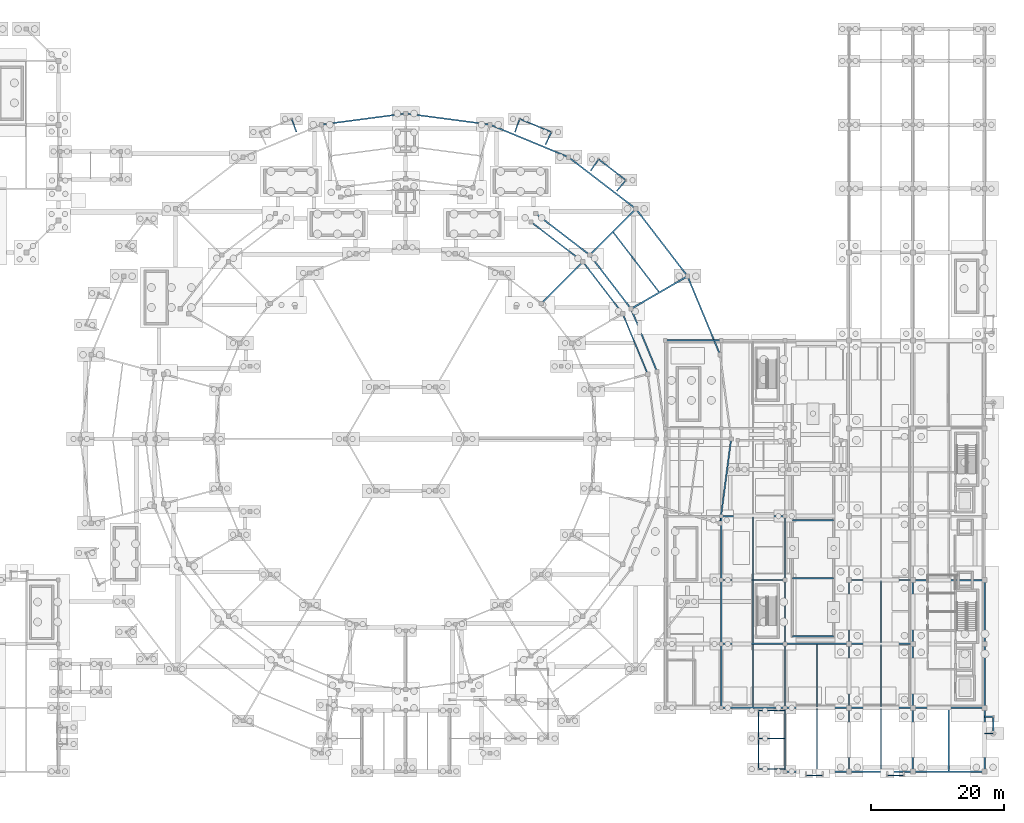
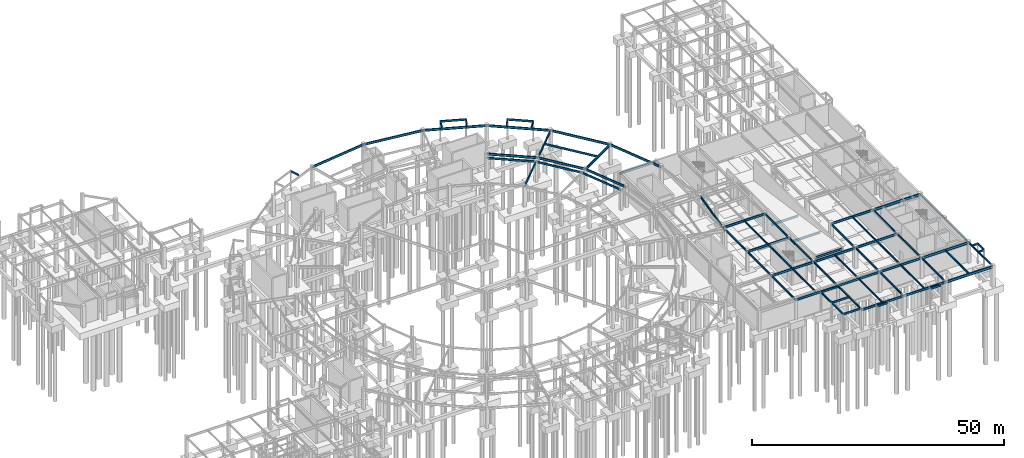
# One storey, part 41 of 55: 77 beams.
"""IFC4 building model written with IfcOpenShell, lengths in metres."""

from ifc_helpers import new_model, si_unit, direction, frame, origin, origin_2d, place, context, subcontext, project, spatial, i_section, extrude, material, material_profile, profile_set, type_object, element, save


model = new_model("IFC4")

# Units and contexts
model_context = context("Model", 3, precision=1e-05, world=origin(), true_north=direction((0.0, 1.0)))
body_context = subcontext(model_context, "Body", "Model", "MODEL_VIEW")
ifc_project = project(units=[si_unit("LENGTHUNIT", "METRE"), si_unit("AREAUNIT", "SQUARE_METRE"), si_unit("VOLUMEUNIT", "CUBIC_METRE"), si_unit("PLANEANGLEUNIT", "RADIAN"), si_unit("MASSUNIT", "GRAM", prefix="KILO")], contexts=[model_context])

# Site, building, storey
site_placement = place(None, origin())
site = spatial("IfcSite", under=ifc_project, at=site_placement, CompositionType="ELEMENT")
building_placement = place(site_placement, origin())
building = spatial("IfcBuilding", under=site, at=building_placement, Name="Almandine Court Research Institute", CompositionType="ELEMENT")
storey_placement = place(building_placement, frame((0.0, 0.0, -5.25)))
storey = spatial("IfcBuildingStorey", under=building, at=storey_placement, Name="B1", CompositionType="ELEMENT", Elevation=-5.25)

# Beams
ifc_material = material(Name="Steel ASTM A992 Grade 50", Category="steel")
ifc_material_profile_1 = material_profile(ifc_material, i_section(OverallWidth=0.18994140625, OverallDepth=0.45703125, WebThickness=0.009033203125, FlangeThickness=0.014892578125, at=origin_2d()), Name="W460x74")
ifc_profile_set_1 = profile_set([ifc_material_profile_1], Name="Steel ASTM A992 Grade 50")
beam_type_1 = type_object("IfcBeamType", Name="Beam-B-01", PredefinedType="BEAM", material=ifc_profile_set_1)
for number, where, z_axis, x_axis, name in (
    (1, (134.39990234375, 15.60009765625, 4.719970703125), (0.0, 1.0, 0.0), (-1.0, 0.0, 0.0), "B1 B1G Primary Y Girder"),
    (2, (144.0, 15.60009765625, 4.719970703125), (0.0, 1.0, 0.0), (-1.0, 0.0, 0.0), "B1 B1G Primary Y Girder"),
):
    element("IfcBeam", number, at=place(storey_placement, frame(where, z_axis=z_axis, x_axis=x_axis)), inside=storey, type_object=beam_type_1, Name=name, PredefinedType="BEAM", context=body_context, shape_type="SweptSolid", body=[
        extrude(i_section(OverallWidth=0.18994140625, OverallDepth=0.45703125, WebThickness=0.009033203125, FlangeThickness=0.014892578125, at=origin_2d()), origin(), (0.0, 0.0, 1.0), 9.599853515625),
    ])
for number, where, z_axis, x_axis, name in (
    (3, (134.39990234375, 25.199951171875, 4.719970703125), (0.0, 1.0, 0.0), (-1.0, 0.0, 0.0), "B1 B1G Primary Y Girder"),
    (4, (144.0, 25.199951171875, 4.719970703125), (0.0, 1.0, 0.0), (-1.0, 0.0, 0.0), "B1 B1G Primary Y Girder"),
):
    element("IfcBeam", number, at=place(storey_placement, frame(where, z_axis=z_axis, x_axis=x_axis)), inside=storey, type_object=beam_type_1, Name=name, PredefinedType="BEAM", context=body_context, shape_type="SweptSolid", body=[
        extrude(i_section(OverallWidth=0.18994140625, OverallDepth=0.45703125, WebThickness=0.009033203125, FlangeThickness=0.014892578125, at=origin_2d()), origin(), (0.0, 0.0, 1.0), 9.60009765625),
    ])
for number, where, z_axis, x_axis, name in (
    (5, (134.39990234375, 34.800048828125, 4.719970703125), (0.0, 1.0, 0.0), (-1.0, 0.0, 0.0), "B1 B1G Primary Y Girder"),
    (6, (144.0, 34.800048828125, 4.719970703125), (0.0, 1.0, 0.0), (-1.0, 0.0, 0.0), "B1 B1G Primary Y Girder"),
):
    element("IfcBeam", number, at=place(storey_placement, frame(where, z_axis=z_axis, x_axis=x_axis)), inside=storey, type_object=beam_type_1, Name=name, PredefinedType="BEAM", context=body_context, shape_type="SweptSolid", body=[
        extrude(i_section(OverallWidth=0.18994140625, OverallDepth=0.45703125, WebThickness=0.009033203125, FlangeThickness=0.014892578125, at=origin_2d()), origin(), (0.0, 0.0, 1.0), 9.599853515625),
    ])
for number, where, z_axis, x_axis, name in (
    (7, (144.0, 6.0, 4.77099609375), (0.0, 1.0, 0.0), (-1.0, 0.0, 0.0), "B1 V4 Primary Y Girder"),
    (8, (153.60009765625, 6.0, 4.77099609375), (0.0, 1.0, 0.0), (-1.0, 0.0, 0.0), "B1 V4 Primary Y Girder"),
    (9, (163.199951171875, 6.0, 4.77099609375), (0.0, 1.0, 0.0), (-1.0, 0.0, 0.0), "B1 V4 Primary Y Girder"),
    (10, (174.0, 6.0, 4.77099609375), (0.0, 1.0, 0.0), (-1.0, 0.0, 0.0), "B1 V4 Primary Y Girder"),
):
    element("IfcBeam", number, at=place(storey_placement, frame(where, z_axis=z_axis, x_axis=x_axis)), inside=storey, type_object=beam_type_1, Name=name, PredefinedType="BEAM", context=body_context, shape_type="SweptSolid", body=[
        extrude(i_section(OverallWidth=0.18994140625, OverallDepth=0.45703125, WebThickness=0.009033203125, FlangeThickness=0.014892578125, at=origin_2d()), origin(), (0.0, 0.0, 1.0), 9.60009765625),
    ])
for number, where, z_axis, x_axis, name in (
    (11, (153.60009765625, 15.60009765625, 4.77099609375), (0.0, 1.0, 0.0), (-1.0, 0.0, 0.0), "B1 V4 Primary Y Girder"),
    (12, (163.199951171875, 15.60009765625, 4.77099609375), (0.0, 1.0, 0.0), (-1.0, 0.0, 0.0), "B1 V4 Primary Y Girder"),
    (13, (174.0, 15.60009765625, 4.77099609375), (0.0, 1.0, 0.0), (-1.0, 0.0, 0.0), "B1 V4 Primary Y Girder"),
):
    element("IfcBeam", number, at=place(storey_placement, frame(where, z_axis=z_axis, x_axis=x_axis)), inside=storey, type_object=beam_type_1, Name=name, PredefinedType="BEAM", context=body_context, shape_type="SweptSolid", body=[
        extrude(i_section(OverallWidth=0.18994140625, OverallDepth=0.45703125, WebThickness=0.009033203125, FlangeThickness=0.014892578125, at=origin_2d()), origin(), (0.0, 0.0, 1.0), 9.599853515625),
    ])
for number, where, z_axis, x_axis, name in (
    (14, (153.60009765625, 25.199951171875, 4.719970703125), (0.0, 1.0, 0.0), (-1.0, 0.0, 0.0), "B1 V4 Primary Y Girder"),
    (15, (163.199951171875, 25.199951171875, 4.77099609375), (0.0, 1.0, 0.0), (-1.0, 0.0, 0.0), "B1 V4 Primary Y Girder"),
    (16, (174.0, 25.199951171875, 4.77099609375), (0.0, 1.0, 0.0), (-1.0, 0.0, 0.0), "B1 V4 Primary Y Girder"),
):
    element("IfcBeam", number, at=place(storey_placement, frame(where, z_axis=z_axis, x_axis=x_axis)), inside=storey, type_object=beam_type_1, Name=name, PredefinedType="BEAM", context=body_context, shape_type="SweptSolid", body=[
        extrude(i_section(OverallWidth=0.18994140625, OverallDepth=0.45703125, WebThickness=0.009033203125, FlangeThickness=0.014892578125, at=origin_2d()), origin(), (0.0, 0.0, 1.0), 9.60009765625),
    ])
beam_1_placement = place(storey_placement, frame((125.044921875, 78.10400390625, 4.77099609375), z_axis=(-0.608773677202, 0.793343941772, 0.0), x_axis=(-0.793343941772, -0.608773677202, 0.0)))
element("IfcBeam", 17, at=beam_1_placement, inside=storey, type_object=beam_type_1, Name="B1 Drum MID Ring Beam 02", PredefinedType="BEAM", context=body_context, shape_type="SweptSolid", body=[
    extrude(i_section(OverallWidth=0.18994140625, OverallDepth=0.45703125, WebThickness=0.009033203125, FlangeThickness=0.014892578125, at=origin_2d()), origin(), (0.0, 0.0, 1.0), 11.248779296875),
])
beam_2_placement = place(storey_placement, frame((123.366943359375, 65.7451171875, 4.77099609375), z_axis=(-0.382683080424, 0.92387967829, 0.0), x_axis=(-0.92387967829, -0.382683080424, 0.0)))
element("IfcBeam", 18, at=beam_2_placement, inside=storey, type_object=beam_type_1, Name="B1 Atrium Outer Ring Beam", PredefinedType="BEAM", context=body_context, shape_type="SweptSolid", body=[
    extrude(i_section(OverallWidth=0.18994140625, OverallDepth=0.45703125, WebThickness=0.009033203125, FlangeThickness=0.014892578125, at=origin_2d()), origin(), (0.0, 0.0, 1.0), 9.827880859375),
])
for number, where, z_axis, x_axis, name in (
    (19, (119.60595703125, 74.824951171875, 4.77099609375), (-0.608711534396, 0.793391623282, 0.0), (-0.793391623282, -0.608711534396, 0.0), "B1 Atrium Outer Ring Beam"),
    (20, (113.623046875, 82.623046875, 4.77099609375), (-0.793391623282, 0.608711534396, 0.0), (-0.608711534396, -0.793391623282, 0.0), "B1 Atrium Outer Ring Beam"),
):
    element("IfcBeam", number, at=place(storey_placement, frame(where, z_axis=z_axis, x_axis=x_axis)), inside=storey, type_object=beam_type_1, Name=name, PredefinedType="BEAM", context=body_context, shape_type="SweptSolid", body=[
        extrude(i_section(OverallWidth=0.18994140625, OverallDepth=0.45703125, WebThickness=0.009033203125, FlangeThickness=0.014892578125, at=origin_2d()), origin(), (0.0, 0.0, 1.0), 9.828857421875),
    ])
for number, where, z_axis, x_axis, name in (
    (21, (140.0, 6.39990234375, 4.822021484375), (1.0, 0.0, 0.0), (0.0, 1.0, 0.0), "B1 Threshold Support Beam APR-V4-DOCK-1"),
    (22, (140.0, 11.0, 4.822021484375), (1.0, 0.0, 0.0), (0.0, 1.0, 0.0), "B1 Threshold Support Beam APR-V4-DOCK-2"),
    (23, (140.0, 15.199951171875, 4.822021484375), (1.0, 0.0, 0.0), (0.0, 1.0, 0.0), "B1 Threshold Support Beam APR-V4-DOCK-3"),
):
    element("IfcBeam", number, at=place(storey_placement, frame(where, z_axis=z_axis, x_axis=x_axis)), inside=storey, type_object=beam_type_1, Name=name, PredefinedType="BEAM", context=body_context, shape_type="SweptSolid", body=[
        extrude(i_section(OverallWidth=0.18994140625, OverallDepth=0.45703125, WebThickness=0.009033203125, FlangeThickness=0.014892578125, at=origin_2d()), origin(), (0.0, 0.0, 1.0), 4.0),
    ])
beam_3_placement = place(storey_placement, frame((140.0, 6.39990234375, 4.822021484375), z_axis=(0.0, 1.0, 0.0), x_axis=(-1.0, 0.0, 0.0)))
element("IfcBeam", 24, at=beam_3_placement, inside=storey, type_object=beam_type_1, Name="B1 Threshold Edge Girder APR-V4-DOCK-1", PredefinedType="BEAM", context=body_context, shape_type="SweptSolid", body=[
    extrude(i_section(OverallWidth=0.18994140625, OverallDepth=0.45703125, WebThickness=0.009033203125, FlangeThickness=0.014892578125, at=origin_2d()), origin(), (0.0, 0.0, 1.0), 4.60009765625),
])
beam_4_placement = place(storey_placement, frame((140.0, 11.0, 4.822021484375), z_axis=(0.0, 1.0, 0.0), x_axis=(-1.0, 0.0, 0.0)))
element("IfcBeam", 25, at=beam_4_placement, inside=storey, type_object=beam_type_1, Name="B1 Threshold Edge Girder APR-V4-DOCK-2", PredefinedType="BEAM", context=body_context, shape_type="SweptSolid", body=[
    extrude(i_section(OverallWidth=0.18994140625, OverallDepth=0.45703125, WebThickness=0.009033203125, FlangeThickness=0.014892578125, at=origin_2d()), origin(), (0.0, 0.0, 1.0), 4.199951171875),
])
for number, where, z_axis, x_axis, name in (
    (26, (147.14990234375, 5.419921875, 4.822021484375), (1.0, 0.0, 0.0), (0.0, 1.0, 0.0), "B1 Threshold Edge Girder PAD-V4-FCC-1"),
    (27, (159.35009765625, 5.419921875, 4.822021484375), (1.0, 0.0, 0.0), (0.0, 1.0, 0.0), "B1 Threshold Edge Girder PAD-V4-S2-1"),
):
    element("IfcBeam", number, at=place(storey_placement, frame(where, z_axis=z_axis, x_axis=x_axis)), inside=storey, type_object=beam_type_1, Name=name, PredefinedType="BEAM", context=body_context, shape_type="SweptSolid", body=[
        extrude(i_section(OverallWidth=0.18994140625, OverallDepth=0.45703125, WebThickness=0.009033203125, FlangeThickness=0.014892578125, at=origin_2d()), origin(), (0.0, 0.0, 1.0), 2.5),
    ])
for number, where, z_axis, x_axis, name in (
    (28, (175.300048828125, 11.75, 4.76904296875), (-1.0, 0.0, 0.0), (0.0, -1.0, 0.0), "B1 Threshold Support Beam PAD-V4-E1-1"),
    (29, (175.300048828125, 14.25, 4.76904296875), (-1.0, 0.0, 0.0), (0.0, -1.0, 0.0), "B1 Threshold Support Beam PAD-V4-E1-2"),
):
    element("IfcBeam", number, at=place(storey_placement, frame(where, z_axis=z_axis, x_axis=x_axis)), inside=storey, type_object=beam_type_1, Name=name, PredefinedType="BEAM", context=body_context, shape_type="SweptSolid", body=[
        extrude(i_section(OverallWidth=0.18994140625, OverallDepth=0.45703125, WebThickness=0.009033203125, FlangeThickness=0.014892578125, at=origin_2d()), origin(), (0.0, 0.0, 1.0), 1.300048828125),
    ])
beam_5_placement = place(storey_placement, frame((175.300048828125, 11.75, 4.822021484375), z_axis=(0.0, 1.0, 0.0), x_axis=(-1.0, 0.0, 0.0)))
element("IfcBeam", 30, at=beam_5_placement, inside=storey, type_object=beam_type_1, Name="B1 Threshold Edge Girder PAD-V4-E1-1", PredefinedType="BEAM", context=body_context, shape_type="SweptSolid", body=[
    extrude(i_section(OverallWidth=0.18994140625, OverallDepth=0.45703125, WebThickness=0.009033203125, FlangeThickness=0.014892578125, at=origin_2d()), origin(), (0.0, 0.0, 1.0), 2.5),
])
beam_6_placement = place(storey_placement, frame((120.0869140625, 94.876953125, 4.76904296875), z_axis=(-0.647999281413, -0.761640946437, 0.0), x_axis=(0.761640946437, -0.647999281413, 0.0)))
element("IfcBeam", 31, at=beam_6_placement, inside=storey, type_object=beam_type_1, Name="B1 Drum Threshold Radial Beam PAD-DRUM-S03-1", PredefinedType="BEAM", context=body_context, shape_type="SweptSolid", body=[
    extrude(i_section(OverallWidth=0.18994140625, OverallDepth=0.45703125, WebThickness=0.009033203125, FlangeThickness=0.014892578125, at=origin_2d()), origin(), (0.0, 0.0, 1.0), 2.120361328125),
])
beam_7_placement = place(storey_placement, frame((115.988037109375, 98.02099609375, 4.76904296875), z_axis=(-0.56760375491, -0.82330187502, 0.0), x_axis=(0.82330187502, -0.56760375491, 0.0)))
element("IfcBeam", 32, at=beam_7_placement, inside=storey, type_object=beam_type_1, Name="B1 Drum Threshold Radial Beam PAD-DRUM-S03-2", PredefinedType="BEAM", context=body_context, shape_type="SweptSolid", body=[
    extrude(i_section(OverallWidth=0.18994140625, OverallDepth=0.45703125, WebThickness=0.009033203125, FlangeThickness=0.014892578125, at=origin_2d()), origin(), (0.0, 0.0, 1.0), 2.11962890625),
])
beam_8_placement = place(storey_placement, frame((120.0869140625, 94.876953125, 4.822021484375), z_axis=(-0.793459529126, 0.608623016028, 0.0), x_axis=(-0.608623016028, -0.793459529126, 0.0)))
element("IfcBeam", 33, at=beam_8_placement, inside=storey, type_object=beam_type_1, Name="B1 Drum Threshold Edge Beam PAD-DRUM-S03", PredefinedType="BEAM", context=body_context, shape_type="SweptSolid", body=[
    extrude(i_section(OverallWidth=0.18994140625, OverallDepth=0.45703125, WebThickness=0.009033203125, FlangeThickness=0.014892578125, at=origin_2d()), origin(), (0.0, 0.0, 1.0), 5.165771484375),
])
for number, where, z_axis, x_axis, name in (
    (34, (108.89697265625, 102.114990234375, 4.76904296875), (-0.42878428268, -0.903406906619, 0.0), (0.903406906619, -0.42878428268, 0.0), "B1 Drum Threshold Radial Beam PAD-DRUM-S04-1"),
    (35, (104.125, 104.092041015625, 4.76904296875), (-0.33537317599, -0.942085363874, 0.0), (0.942085363874, -0.33537317599, 0.0), "B1 Drum Threshold Radial Beam PAD-DRUM-S04-2"),
):
    element("IfcBeam", number, at=place(storey_placement, frame(where, z_axis=z_axis, x_axis=x_axis)), inside=storey, type_object=beam_type_1, Name=name, PredefinedType="BEAM", context=body_context, shape_type="SweptSolid", body=[
        extrude(i_section(OverallWidth=0.18994140625, OverallDepth=0.45703125, WebThickness=0.009033203125, FlangeThickness=0.014892578125, at=origin_2d()), origin(), (0.0, 0.0, 1.0), 2.119873046875),
    ])
beam_9_placement = place(storey_placement, frame((108.89697265625, 102.114990234375, 4.822021484375), z_axis=(-0.923849755834, 0.382755311713, 0.0), x_axis=(-0.382755311713, -0.923849755834, 0.0)))
element("IfcBeam", 36, at=beam_9_placement, inside=storey, type_object=beam_type_1, Name="B1 Drum Threshold Edge Beam PAD-DRUM-S04", PredefinedType="BEAM", context=body_context, shape_type="SweptSolid", body=[
    extrude(i_section(OverallWidth=0.18994140625, OverallDepth=0.45703125, WebThickness=0.009033203125, FlangeThickness=0.014892578125, at=origin_2d()), origin(), (0.0, 0.0, 1.0), 5.165283203125),
])
beam_10_placement = place(storey_placement, frame((69.875, 104.092041015625, 4.76904296875), z_axis=(0.33537317599, -0.942085363874, 0.0), x_axis=(0.942085363874, 0.33537317599, 0.0)))
element("IfcBeam", 37, at=beam_10_placement, inside=storey, type_object=beam_type_1, Name="B1 Drum Threshold Radial Beam PAD-DRUM-S07-1", PredefinedType="BEAM", context=body_context, shape_type="SweptSolid", body=[
    extrude(i_section(OverallWidth=0.18994140625, OverallDepth=0.45703125, WebThickness=0.009033203125, FlangeThickness=0.014892578125, at=origin_2d()), origin(), (0.0, 0.0, 1.0), 2.119873046875),
])
ifc_material_profile_2 = material_profile(ifc_material, i_section(OverallWidth=0.178955078125, OverallDepth=0.409912109375, WebThickness=0.009033203125, FlangeThickness=0.013916015625, at=origin_2d()), Name="W410x67")
ifc_profile_set_2 = profile_set([ifc_material_profile_2], Name="Steel ASTM A992 Grade 50")
beam_type_2 = type_object("IfcBeamType", Name="Beam-B-02", PredefinedType="JOIST", material=ifc_profile_set_2)
beam_11_placement = place(storey_placement, frame((139.199951171875, 15.7041015625, 4.742919921875), z_axis=(0.0, 1.0, 0.0), x_axis=(-1.0, 0.0, 0.0)))
element("IfcBeam", 38, at=beam_11_placement, inside=storey, type_object=beam_type_2, Name="B1 B1G Composite Secondary Beam", PredefinedType="JOIST", context=body_context, shape_type="SweptSolid", body=[
    extrude(i_section(OverallWidth=0.178955078125, OverallDepth=0.409912109375, WebThickness=0.009033203125, FlangeThickness=0.013916015625, at=origin_2d()), origin(), (0.0, 0.0, 1.0), 9.391845703125),
])
for number, where, z_axis, x_axis, name in (
    (39, (139.199951171875, 25.302978515625, 4.742919921875), (0.0, 1.0, 0.0), (-1.0, 0.0, 0.0), "B1 B1G Composite Secondary Beam"),
    (40, (139.199951171875, 34.903076171875, 4.742919921875), (0.0, 1.0, 0.0), (-1.0, 0.0, 0.0), "B1 B1G Composite Secondary Beam"),
):
    element("IfcBeam", number, at=place(storey_placement, frame(where, z_axis=z_axis, x_axis=x_axis)), inside=storey, type_object=beam_type_2, Name=name, PredefinedType="JOIST", context=body_context, shape_type="SweptSolid", body=[
        extrude(i_section(OverallWidth=0.178955078125, OverallDepth=0.409912109375, WebThickness=0.009033203125, FlangeThickness=0.013916015625, at=origin_2d()), origin(), (0.0, 0.0, 1.0), 9.39404296875),
    ])
for number, where, z_axis, x_axis, name in (
    (41, (148.800048828125, 6.10400390625, 4.794921875), (0.0, 1.0, 0.0), (-1.0, 0.0, 0.0), "B1 V4 Composite Secondary Beam"),
    (42, (158.39990234375, 6.10400390625, 4.794921875), (0.0, 1.0, 0.0), (-1.0, 0.0, 0.0), "B1 V4 Composite Secondary Beam"),
):
    element("IfcBeam", number, at=place(storey_placement, frame(where, z_axis=z_axis, x_axis=x_axis)), inside=storey, type_object=beam_type_2, Name=name, PredefinedType="JOIST", context=body_context, shape_type="SweptSolid", body=[
        extrude(i_section(OverallWidth=0.178955078125, OverallDepth=0.409912109375, WebThickness=0.009033203125, FlangeThickness=0.013916015625, at=origin_2d()), origin(), (0.0, 0.0, 1.0), 9.39208984375),
    ])
beam_12_placement = place(storey_placement, frame((168.60009765625, 6.113037109375, 4.794921875), z_axis=(0.0, 1.0, 0.0), x_axis=(-1.0, 0.0, 0.0)))
element("IfcBeam", 43, at=beam_12_placement, inside=storey, type_object=beam_type_2, Name="B1 V4 Composite Secondary Beam", PredefinedType="JOIST", context=body_context, shape_type="SweptSolid", body=[
    extrude(i_section(OverallWidth=0.178955078125, OverallDepth=0.409912109375, WebThickness=0.009033203125, FlangeThickness=0.013916015625, at=origin_2d()), origin(), (0.0, 0.0, 1.0), 9.3740234375),
])
for number, where, z_axis, x_axis, name in (
    (44, (148.800048828125, 15.7041015625, 4.794921875), (0.0, 1.0, 0.0), (-1.0, 0.0, 0.0), "B1 V4 Composite Secondary Beam"),
    (45, (158.39990234375, 15.7041015625, 4.794921875), (0.0, 1.0, 0.0), (-1.0, 0.0, 0.0), "B1 V4 Composite Secondary Beam"),
):
    element("IfcBeam", number, at=place(storey_placement, frame(where, z_axis=z_axis, x_axis=x_axis)), inside=storey, type_object=beam_type_2, Name=name, PredefinedType="JOIST", context=body_context, shape_type="SweptSolid", body=[
        extrude(i_section(OverallWidth=0.178955078125, OverallDepth=0.409912109375, WebThickness=0.009033203125, FlangeThickness=0.013916015625, at=origin_2d()), origin(), (0.0, 0.0, 1.0), 9.391845703125),
    ])
beam_13_placement = place(storey_placement, frame((158.39990234375, 25.302978515625, 4.794921875), z_axis=(0.0, 1.0, 0.0), x_axis=(-1.0, 0.0, 0.0)))
element("IfcBeam", 46, at=beam_13_placement, inside=storey, type_object=beam_type_2, Name="B1 V4 Composite Secondary Beam", PredefinedType="JOIST", context=body_context, shape_type="SweptSolid", body=[
    extrude(i_section(OverallWidth=0.178955078125, OverallDepth=0.409912109375, WebThickness=0.009033203125, FlangeThickness=0.013916015625, at=origin_2d()), origin(), (0.0, 0.0, 1.0), 9.39404296875),
])
ifc_material_profile_3 = material_profile(ifc_material, i_section(OverallWidth=0.22998046875, OverallDepth=0.616943359375, WebThickness=0.012939453125, FlangeThickness=0.02197265625, at=origin_2d()), Name="W610x140")
ifc_profile_set_3 = profile_set([ifc_material_profile_3], Name="Steel ASTM A992 Grade 50")
beam_type_3 = type_object("IfcBeamType", Name="Beam-G-02", PredefinedType="BEAM", material=ifc_profile_set_3)
for number, where, z_axis, x_axis, name in (
    (47, (163.199951171875, 6.0, 4.69189453125), (1.0, 0.0, 0.0), (0.0, 1.0, 0.0), "B1 V4 Primary X Girder"),
    (48, (163.199951171875, 15.60009765625, 4.69189453125), (1.0, 0.0, 0.0), (0.0, 1.0, 0.0), "B1 V4 Primary X Girder"),
    (49, (163.199951171875, 34.800048828125, 4.69189453125), (1.0, 0.0, 0.0), (0.0, 1.0, 0.0), "B1 V4 Primary X Girder"),
):
    element("IfcBeam", number, at=place(storey_placement, frame(where, z_axis=z_axis, x_axis=x_axis)), inside=storey, type_object=beam_type_3, Name=name, PredefinedType="BEAM", context=body_context, shape_type="SweptSolid", body=[
        extrude(i_section(OverallWidth=0.22998046875, OverallDepth=0.616943359375, WebThickness=0.012939453125, FlangeThickness=0.02197265625, at=origin_2d()), origin(), (0.0, 0.0, 1.0), 10.800048828125),
    ])
beam_14_placement = place(storey_placement, frame((120.862060546875, 75.550048828125, 4.69189453125), z_axis=(0.866030014362, 0.49999201416, 0.0), x_axis=(-0.49999201416, 0.866030014362, 0.0)))
element("IfcBeam", 50, at=beam_14_placement, inside=storey, type_object=beam_type_3, Name="B1 Drum Radial Girder 02", PredefinedType="BEAM", context=body_context, shape_type="SweptSolid", body=[
    extrude(i_section(OverallWidth=0.22998046875, OverallDepth=0.616943359375, WebThickness=0.012939453125, FlangeThickness=0.02197265625, at=origin_2d()), origin(), (0.0, 0.0, 1.0), 9.800048828125),
])
beam_15_placement = place(storey_placement, frame((114.64794921875, 83.64794921875, 4.69189453125), z_axis=(0.707106781187, 0.707106781187, 0.0), x_axis=(-0.707106781187, 0.707106781187, 0.0)))
element("IfcBeam", 51, at=beam_15_placement, inside=storey, type_object=beam_type_3, Name="B1 Drum Radial Girder 03", PredefinedType="BEAM", context=body_context, shape_type="SweptSolid", body=[
    extrude(i_section(OverallWidth=0.22998046875, OverallDepth=0.616943359375, WebThickness=0.012939453125, FlangeThickness=0.02197265625, at=origin_2d()), origin(), (0.0, 0.0, 1.0), 9.80029296875),
])
ifc_material_profile_4 = material_profile(ifc_material, i_section(OverallWidth=0.2109375, OverallDepth=0.5390625, WebThickness=0.011962890625, FlangeThickness=0.01904296875, at=origin_2d()), Name="W530x109")
ifc_profile_set_4 = profile_set([ifc_material_profile_4], Name="Steel ASTM A992 Grade 50")
beam_type_4 = type_object("IfcBeamType", Name="Beam-G-04", PredefinedType="BEAM", material=ifc_profile_set_4)
for number, where, z_axis, x_axis, name in (
    (52, (134.39990234375, 15.60009765625, 4.677978515625), (1.0, 0.0, 0.0), (0.0, 1.0, 0.0), "B1 B1G Primary X Girder"),
    (53, (134.39990234375, 25.199951171875, 4.677978515625), (1.0, 0.0, 0.0), (0.0, 1.0, 0.0), "B1 B1G Primary X Girder"),
    (54, (134.39990234375, 34.800048828125, 4.677978515625), (1.0, 0.0, 0.0), (0.0, 1.0, 0.0), "B1 B1G Primary X Girder"),
    (55, (134.39990234375, 44.39990234375, 4.677978515625), (1.0, 0.0, 0.0), (0.0, 1.0, 0.0), "B1 B1G Primary X Girder"),
):
    element("IfcBeam", number, at=place(storey_placement, frame(where, z_axis=z_axis, x_axis=x_axis)), inside=storey, type_object=beam_type_4, Name=name, PredefinedType="BEAM", context=body_context, shape_type="SweptSolid", body=[
        extrude(i_section(OverallWidth=0.2109375, OverallDepth=0.5390625, WebThickness=0.011962890625, FlangeThickness=0.01904296875, at=origin_2d()), origin(), (0.0, 0.0, 1.0), 9.60009765625),
    ])
beam_16_placement = place(storey_placement, frame((126.0, 70.800048828125, 4.72998046875), z_axis=(1.0, 0.0, 0.0), x_axis=(0.0, 1.0, 0.0)))
element("IfcBeam", 56, at=beam_16_placement, inside=storey, type_object=beam_type_4, Name="B1 B1G Primary X Girder", PredefinedType="BEAM", context=body_context, shape_type="SweptSolid", body=[
    extrude(i_section(OverallWidth=0.2109375, OverallDepth=0.5390625, WebThickness=0.011962890625, FlangeThickness=0.01904296875, at=origin_2d()), origin(), (0.0, 0.0, 1.0), 8.39990234375),
])
beam_17_placement = place(storey_placement, frame((144.0, 6.0, 4.72998046875), z_axis=(1.0, 0.0, 0.0), x_axis=(0.0, 1.0, 0.0)))
element("IfcBeam", 57, at=beam_17_placement, inside=storey, type_object=beam_type_4, Name="B1 V4 Primary X Girder", PredefinedType="BEAM", context=body_context, shape_type="SweptSolid", body=[
    extrude(i_section(OverallWidth=0.2109375, OverallDepth=0.5390625, WebThickness=0.011962890625, FlangeThickness=0.01904296875, at=origin_2d()), origin(), (0.0, 0.0, 1.0), 9.60009765625),
])
beam_18_placement = place(storey_placement, frame((153.60009765625, 6.0, 4.72998046875), z_axis=(1.0, 0.0, 0.0), x_axis=(0.0, 1.0, 0.0)))
element("IfcBeam", 58, at=beam_18_placement, inside=storey, type_object=beam_type_4, Name="B1 V4 Primary X Girder", PredefinedType="BEAM", context=body_context, shape_type="SweptSolid", body=[
    extrude(i_section(OverallWidth=0.2109375, OverallDepth=0.5390625, WebThickness=0.011962890625, FlangeThickness=0.01904296875, at=origin_2d()), origin(), (0.0, 0.0, 1.0), 9.599853515625),
])
beam_19_placement = place(storey_placement, frame((144.0, 15.60009765625, 4.72998046875), z_axis=(1.0, 0.0, 0.0), x_axis=(0.0, 1.0, 0.0)))
element("IfcBeam", 59, at=beam_19_placement, inside=storey, type_object=beam_type_4, Name="B1 V4 Primary X Girder", PredefinedType="BEAM", context=body_context, shape_type="SweptSolid", body=[
    extrude(i_section(OverallWidth=0.2109375, OverallDepth=0.5390625, WebThickness=0.011962890625, FlangeThickness=0.01904296875, at=origin_2d()), origin(), (0.0, 0.0, 1.0), 9.60009765625),
])
beam_20_placement = place(storey_placement, frame((153.60009765625, 15.60009765625, 4.72998046875), z_axis=(1.0, 0.0, 0.0), x_axis=(0.0, 1.0, 0.0)))
element("IfcBeam", 60, at=beam_20_placement, inside=storey, type_object=beam_type_4, Name="B1 V4 Primary X Girder", PredefinedType="BEAM", context=body_context, shape_type="SweptSolid", body=[
    extrude(i_section(OverallWidth=0.2109375, OverallDepth=0.5390625, WebThickness=0.011962890625, FlangeThickness=0.01904296875, at=origin_2d()), origin(), (0.0, 0.0, 1.0), 9.599853515625),
])
beam_21_placement = place(storey_placement, frame((144.0, 25.199951171875, 4.677978515625), z_axis=(1.0, 0.0, 0.0), x_axis=(0.0, 1.0, 0.0)))
element("IfcBeam", 61, at=beam_21_placement, inside=storey, type_object=beam_type_4, Name="B1 V4 Primary X Girder", PredefinedType="BEAM", context=body_context, shape_type="SweptSolid", body=[
    extrude(i_section(OverallWidth=0.2109375, OverallDepth=0.5390625, WebThickness=0.011962890625, FlangeThickness=0.01904296875, at=origin_2d()), origin(), (0.0, 0.0, 1.0), 9.60009765625),
])
for number, where, z_axis, x_axis, name in (
    (62, (153.60009765625, 25.199951171875, 4.72998046875), (1.0, 0.0, 0.0), (0.0, 1.0, 0.0), "B1 V4 Primary X Girder"),
    (63, (153.60009765625, 34.800048828125, 4.72998046875), (1.0, 0.0, 0.0), (0.0, 1.0, 0.0), "B1 V4 Primary X Girder"),
):
    element("IfcBeam", number, at=place(storey_placement, frame(where, z_axis=z_axis, x_axis=x_axis)), inside=storey, type_object=beam_type_4, Name=name, PredefinedType="BEAM", context=body_context, shape_type="SweptSolid", body=[
        extrude(i_section(OverallWidth=0.2109375, OverallDepth=0.5390625, WebThickness=0.011962890625, FlangeThickness=0.01904296875, at=origin_2d()), origin(), (0.0, 0.0, 1.0), 9.599853515625),
    ])
beam_22_placement = place(storey_placement, frame((124.76806640625, 66.1201171875, 4.72998046875), z_axis=(-0.382683455912, 0.923879522758, 0.0), x_axis=(-0.923879522758, -0.382683455912, 0.0)))
element("IfcBeam", 64, at=beam_22_placement, inside=storey, type_object=beam_type_4, Name="B1 Drum IN Ring Beam 01", PredefinedType="BEAM", context=body_context, shape_type="SweptSolid", body=[
    extrude(i_section(OverallWidth=0.2109375, OverallDepth=0.5390625, WebThickness=0.011962890625, FlangeThickness=0.01904296875, at=origin_2d()), origin(), (0.0, 0.0, 1.0), 10.206787109375),
])
beam_23_placement = place(storey_placement, frame((134.23388671875, 68.656005859375, 4.72998046875), z_axis=(-0.382653578879, 0.923891897665, 0.0), x_axis=(-0.923891897665, -0.382653578879, 0.0)))
element("IfcBeam", 65, at=beam_23_placement, inside=storey, type_object=beam_type_4, Name="B1 Drum OUT Ring Beam 01", PredefinedType="BEAM", context=body_context, shape_type="SweptSolid", body=[
    extrude(i_section(OverallWidth=0.2109375, OverallDepth=0.5390625, WebThickness=0.011962890625, FlangeThickness=0.01904296875, at=origin_2d()), origin(), (0.0, 0.0, 1.0), 12.765625),
])
beam_24_placement = place(storey_placement, frame((120.862060546875, 75.550048828125, 4.72998046875), z_axis=(-0.608784478787, 0.793335653042, 0.0), x_axis=(-0.793335653042, -0.608784478787, 0.0)))
element("IfcBeam", 66, at=beam_24_placement, inside=storey, type_object=beam_type_4, Name="B1 Drum IN Ring Beam 02", PredefinedType="BEAM", context=body_context, shape_type="SweptSolid", body=[
    extrude(i_section(OverallWidth=0.2109375, OverallDepth=0.5390625, WebThickness=0.011962890625, FlangeThickness=0.01904296875, at=origin_2d()), origin(), (0.0, 0.0, 1.0), 10.20751953125),
])
beam_25_placement = place(storey_placement, frame((129.34912109375, 80.449951171875, 4.72998046875), z_axis=(-0.608751886289, 0.793360662587, 0.0), x_axis=(-0.793360662587, -0.608751886289, 0.0)))
element("IfcBeam", 67, at=beam_25_placement, inside=storey, type_object=beam_type_4, Name="B1 Drum OUT Ring Beam 02", PredefinedType="BEAM", context=body_context, shape_type="SweptSolid", body=[
    extrude(i_section(OverallWidth=0.2109375, OverallDepth=0.5390625, WebThickness=0.011962890625, FlangeThickness=0.01904296875, at=origin_2d()), origin(), (0.0, 0.0, 1.0), 12.765869140625),
])
beam_26_placement = place(storey_placement, frame((114.64794921875, 83.64794921875, 4.72998046875), z_axis=(-0.793335653042, 0.608784478787, 0.0), x_axis=(-0.608784478787, -0.793335653042, 0.0)))
element("IfcBeam", 68, at=beam_26_placement, inside=storey, type_object=beam_type_4, Name="B1 Drum IN Ring Beam 03", PredefinedType="BEAM", context=body_context, shape_type="SweptSolid", body=[
    extrude(i_section(OverallWidth=0.2109375, OverallDepth=0.5390625, WebThickness=0.011962890625, FlangeThickness=0.01904296875, at=origin_2d()), origin(), (0.0, 0.0, 1.0), 10.20751953125),
])
beam_27_placement = place(storey_placement, frame((121.577880859375, 90.577880859375, 4.72998046875), z_axis=(-0.793360662587, 0.608751886289, 0.0), x_axis=(-0.608751886289, -0.793360662587, 0.0)))
element("IfcBeam", 69, at=beam_27_placement, inside=storey, type_object=beam_type_4, Name="B1 Drum OUT Ring Beam 03", PredefinedType="BEAM", context=body_context, shape_type="SweptSolid", body=[
    extrude(i_section(OverallWidth=0.2109375, OverallDepth=0.5390625, WebThickness=0.011962890625, FlangeThickness=0.01904296875, at=origin_2d()), origin(), (0.0, 0.0, 1.0), 12.765869140625),
])
beam_28_placement = place(storey_placement, frame((111.449951171875, 98.34912109375, 4.72998046875), z_axis=(-0.923891897665, 0.382653578879, 0.0), x_axis=(-0.382653578879, -0.923891897665, 0.0)))
element("IfcBeam", 70, at=beam_28_placement, inside=storey, type_object=beam_type_4, Name="B1 Drum OUT Ring Beam 04", PredefinedType="BEAM", context=body_context, shape_type="SweptSolid", body=[
    extrude(i_section(OverallWidth=0.2109375, OverallDepth=0.5390625, WebThickness=0.011962890625, FlangeThickness=0.01904296875, at=origin_2d()), origin(), (0.0, 0.0, 1.0), 12.765625),
])
for number, where, z_axis, x_axis, name in (
    (71, (99.656005859375, 103.23388671875, 4.72998046875), (-0.991446677504, 0.130512396599, 0.0), (-0.130512396599, -0.991446677504, 0.0), "B1 Drum OUT Ring Beam 05"),
    (72, (87.0, 104.89990234375, 4.72998046875), (-0.991446677504, -0.130512396599, 0.0), (0.130512396599, -0.991446677504, 0.0), "B1 Drum OUT Ring Beam 06"),
    (73, (134.23388671875, 43.343994140625, 4.72998046875), (0.130512396599, 0.991446677504, 0.0), (-0.991446677504, 0.130512396599, 0.0), "B1 Drum OUT Ring Beam 23"),
):
    element("IfcBeam", number, at=place(storey_placement, frame(where, z_axis=z_axis, x_axis=x_axis)), inside=storey, type_object=beam_type_4, Name=name, PredefinedType="BEAM", context=body_context, shape_type="SweptSolid", body=[
        extrude(i_section(OverallWidth=0.2109375, OverallDepth=0.5390625, WebThickness=0.011962890625, FlangeThickness=0.01904296875, at=origin_2d()), origin(), (0.0, 0.0, 1.0), 12.76513671875),
    ])
beam_29_placement = place(storey_placement, frame((107.364990234375, 76.364990234375, 4.72998046875), z_axis=(0.707106781187, 0.707106781187, 0.0), x_axis=(-0.707106781187, 0.707106781187, 0.0)))
element("IfcBeam", 74, at=beam_29_placement, inside=storey, type_object=beam_type_4, Name="B1 Atrium Gallery Radial Girder", PredefinedType="BEAM", context=body_context, shape_type="SweptSolid", body=[
    extrude(i_section(OverallWidth=0.2109375, OverallDepth=0.5390625, WebThickness=0.011962890625, FlangeThickness=0.01904296875, at=origin_2d()), origin(), (0.0, 0.0, 1.0), 8.850341796875),
])
for number, where, z_axis, x_axis, name in (
    (75, (145.10009765625, 26.35009765625, 4.654052734375), (1.0, 0.0, 0.0), (0.0, 1.0, 0.0), "B1 Vehicle Ramp Transverse Support Girder 1"),
    (76, (145.10009765625, 35.080078125, 3.341064453125), (1.0, 0.0, 0.0), (0.0, 1.0, 0.0), "B1 Vehicle Ramp Transverse Support Girder 2"),
    (77, (145.10009765625, 43.800048828125, 2.029052734375), (1.0, 0.0, 0.0), (0.0, 1.0, 0.0), "B1 Vehicle Ramp Transverse Support Girder 3"),
):
    element("IfcBeam", number, at=place(storey_placement, frame(where, z_axis=z_axis, x_axis=x_axis)), inside=storey, type_object=beam_type_4, Name=name, PredefinedType="BEAM", context=body_context, shape_type="SweptSolid", body=[
        extrude(i_section(OverallWidth=0.2109375, OverallDepth=0.5390625, WebThickness=0.011962890625, FlangeThickness=0.01904296875, at=origin_2d()), origin(), (0.0, 0.0, 1.0), 6.199951171875),
    ])

save(model, "model.ifc")
